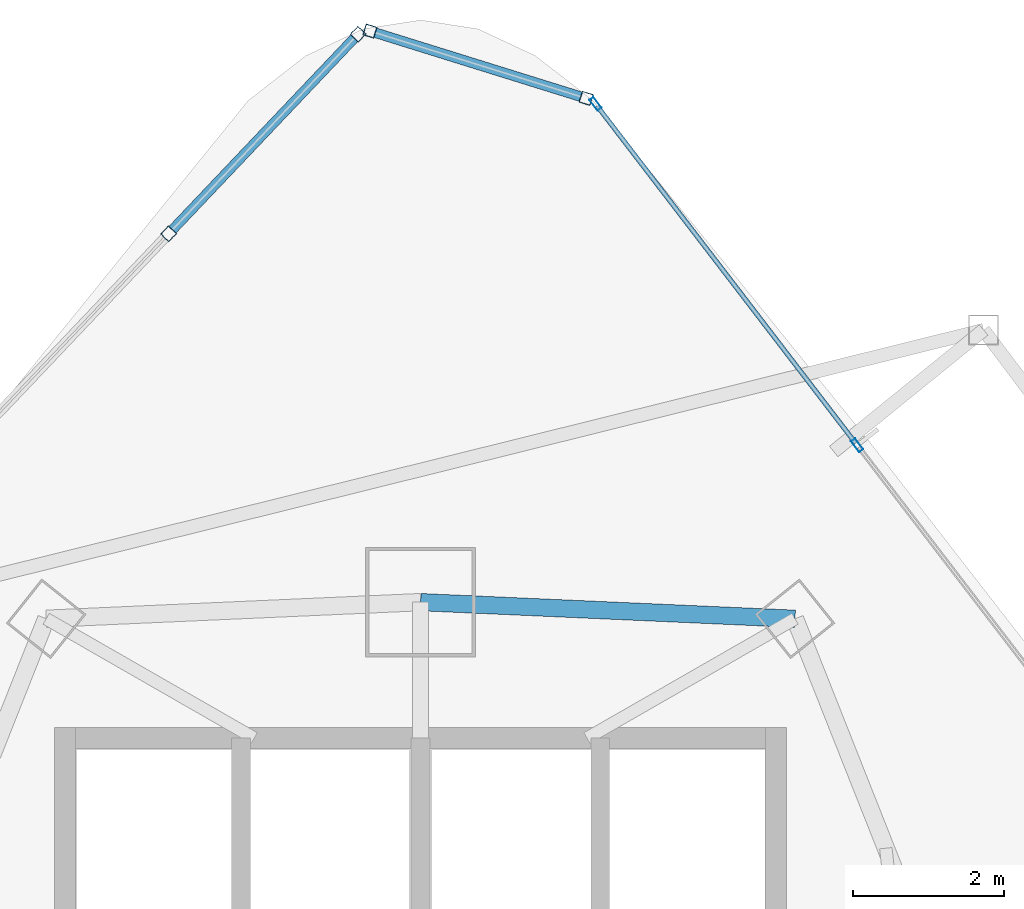
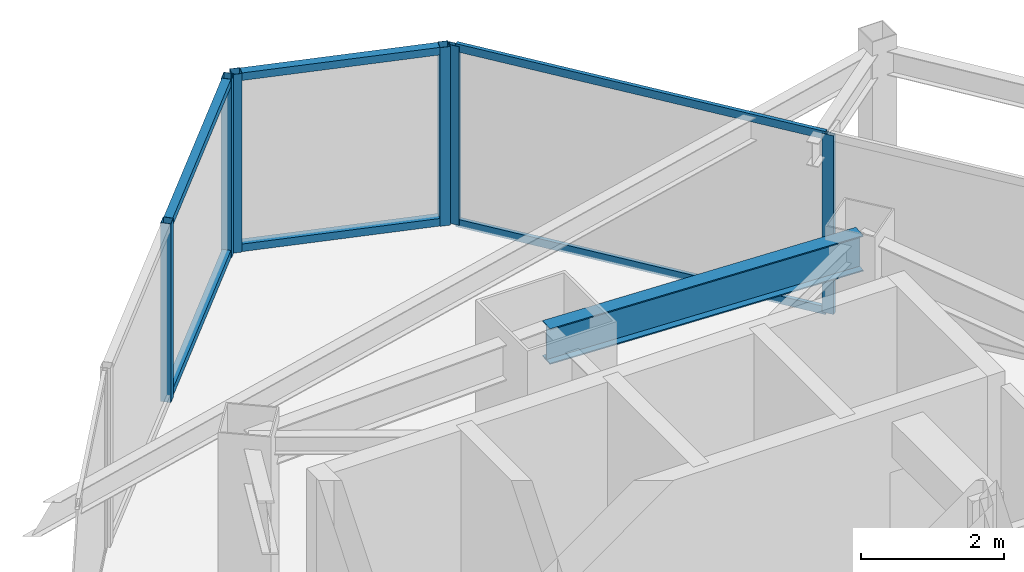
# One storey, part 23 of 31: 12 members, 1 beam, 3 elements without a shape of their own.
"""IFC4 building model written with IfcOpenShell, lengths in metres."""

from ifc_helpers import new_model, si_unit, direction, frame, origin, origin_2d, place, context, subcontext, project, spatial, hollow_rectangle, i_section, extrude, material, layer, layer_set, material_profile, profile_set, type_object, element, aggregate, save


model = new_model("IFC4")

# Units and contexts
model_context = context("Model", 3, precision=1e-05, world=origin(), true_north=direction((0.0, 1.0)))
body_context = subcontext(model_context, "Body", "Model", "MODEL_VIEW")
ifc_project = project(units=[si_unit("LENGTHUNIT", "METRE"), si_unit("AREAUNIT", "SQUARE_METRE"), si_unit("VOLUMEUNIT", "CUBIC_METRE"), si_unit("PLANEANGLEUNIT", "RADIAN"), si_unit("MASSUNIT", "GRAM", prefix="KILO")], contexts=[model_context])

# Site, building, storey
site_placement = place(None, origin())
site = spatial("IfcSite", under=ifc_project, at=site_placement, CompositionType="ELEMENT")
building_placement = place(site_placement, origin())
building = spatial("IfcBuilding", under=site, at=building_placement, Name="Orvanel Arch Residences", CompositionType="ELEMENT")
storey_placement = place(building_placement, frame((0.0, 0.0, 126.5)))
storey = spatial("IfcBuildingStorey", under=building, at=storey_placement, Name="L35", CompositionType="ELEMENT", Elevation=126.5)

# Curtain wall, members
ifc_material_1 = material(Name="Bronze-anodised aluminium AA6063-T6", Category="aluminium")
ifc_layer_1 = layer(ifc_material_1, 0.18994140625)
ifc_layer_set_1 = layer_set([ifc_layer_1], Name="Bronze-anodised aluminium AA6063-T6")
curtain_wall_type_1 = type_object("IfcCurtainWallType", Name="CW5-CRN-SYS", PredefinedType="NOTDEFINED", material=ifc_layer_set_1)
curtain_wall_1_placement = place(storey_placement, origin())
curtain_wall_1 = element("IfcCurtainWall", 1, at=curtain_wall_1_placement, inside=storey, type_object=curtain_wall_type_1, Name="L35 CW5-CRN-SYS Unitised Curtain Wall", PredefinedType="NOTDEFINED")
ifc_material_profile_1 = material_profile(ifc_material_1, hollow_rectangle(XDim=0.14990234375, YDim=0.14990234375, WallThickness=0.0048828125, at=origin_2d()), Name="ALU150x150x5")
ifc_profile_set_1 = profile_set([ifc_material_profile_1], Name="Bronze-anodised aluminium AA6063-T6")
member_type_1 = type_object("IfcMemberType", Name="MUL-150x150", PredefinedType="MULLION", material=ifc_profile_set_1)
member_1_placement = place(storey_placement, frame((35.1884765625, 48.058349609375, 0.0), z_axis=(0.0, 0.0, 1.0), x_axis=(-0.297169694333, -0.954824681693, 0.0)))
member_1 = element("IfcMember", 2, at=member_1_placement, type_object=member_type_1, Name="CW-S5 mullion 1", PredefinedType="MULLION", context=body_context, shape_type="SweptSolid", body=[
    extrude(hollow_rectangle(XDim=0.14990234375, YDim=0.14990234375, WallThickness=0.0048828125, at=origin_2d()), origin(), (0.0, 0.0, 1.0), 3.06005859375),
])
member_2_placement = place(storey_placement, frame((32.33056640625, 48.94775390625, 0.0), z_axis=(0.0, 0.0, 1.0), x_axis=(-0.297169694333, -0.954824681693, 0.0)))
member_2 = element("IfcMember", 3, at=member_2_placement, type_object=member_type_1, Name="CW-S5 mullion 2", PredefinedType="MULLION", context=body_context, shape_type="SweptSolid", body=[
    extrude(hollow_rectangle(XDim=0.14990234375, YDim=0.14990234375, WallThickness=0.0048828125, at=origin_2d()), origin(), (0.0, 0.0, 1.0), 3.06005859375),
])

curtain_wall_2_placement = place(storey_placement, origin())
curtain_wall_2 = element("IfcCurtainWall", 4, at=curtain_wall_2_placement, inside=storey, type_object=curtain_wall_type_1, Name="L35 CW5-CRN-SYS Unitised Curtain Wall", PredefinedType="NOTDEFINED")
member_3_placement = place(storey_placement, frame((32.17431640625, 48.906494140625, 0.0), z_axis=(0.0, 0.0, 1.0), x_axis=(0.725177541449, -0.688561931403, 0.0)))
member_3 = element("IfcMember", 5, at=member_3_placement, type_object=member_type_1, Name="CW-S5 mullion 1", PredefinedType="MULLION", context=body_context, shape_type="SweptSolid", body=[
    extrude(hollow_rectangle(XDim=0.14990234375, YDim=0.14990234375, WallThickness=0.0048828125, at=origin_2d()), origin(), (0.0, 0.0, 1.0), 3.06005859375),
])
member_4_placement = place(storey_placement, frame((29.66845703125, 46.267578125, 0.0), z_axis=(0.0, 0.0, 1.0), x_axis=(0.725177541449, -0.688561931403, 0.0)))
member_4 = element("IfcMember", 6, at=member_4_placement, type_object=member_type_1, Name="CW-S5 mullion 2", PredefinedType="MULLION", context=body_context, shape_type="SweptSolid", body=[
    extrude(hollow_rectangle(XDim=0.14990234375, YDim=0.14990234375, WallThickness=0.0048828125, at=origin_2d()), origin(), (0.0, 0.0, 1.0), 3.06005859375),
])

ifc_layer_2 = layer(ifc_material_1, 0.179931640625)
ifc_layer_set_2 = layer_set([ifc_layer_2], Name="Bronze-anodised aluminium AA6063-T6")
curtain_wall_type_2 = type_object("IfcCurtainWallType", Name="CW3-MID-SYS", PredefinedType="NOTDEFINED", material=ifc_layer_set_2)
curtain_wall_3_placement = place(storey_placement, origin())
curtain_wall_3 = element("IfcCurtainWall", 7, at=curtain_wall_3_placement, inside=storey, type_object=curtain_wall_type_2, Name="L35 CW3-MID-SYS Unitised Curtain Wall", PredefinedType="NOTDEFINED")
ifc_material_profile_2 = material_profile(ifc_material_1, hollow_rectangle(XDim=0.070068359375, YDim=0.179931640625, WallThickness=0.00439453125, at=origin_2d()), Name="ALU180x70x4.5")
ifc_profile_set_2 = profile_set([ifc_material_profile_2], Name="Bronze-anodised aluminium AA6063-T6")
member_type_2 = type_object("IfcMemberType", Name="MUL-180x70", PredefinedType="MULLION", material=ifc_profile_set_2)
member_5_placement = place(storey_placement, frame((38.77197265625, 43.472412109375, 0.0), z_axis=(0.0, 0.0, 1.0), x_axis=(-0.793686048697, -0.608327589465, 0.0)))
member_5 = element("IfcMember", 8, at=member_5_placement, type_object=member_type_2, Name="CW-S3 mullion 3", PredefinedType="MULLION", context=body_context, shape_type="SweptSolid", body=[
    extrude(hollow_rectangle(XDim=0.070068359375, YDim=0.179931640625, WallThickness=0.00439453125, at=origin_2d()), origin(), (0.0, 0.0, 1.0), 3.06005859375),
])
member_6_placement = place(storey_placement, frame((35.312255859375, 47.986328125, 0.0), z_axis=(0.0, 0.0, 1.0), x_axis=(-0.793686048697, -0.608327589465, 0.0)))
member_6 = element("IfcMember", 9, at=member_6_placement, type_object=member_type_2, Name="CW-S3 mullion 4", PredefinedType="MULLION", context=body_context, shape_type="SweptSolid", body=[
    extrude(hollow_rectangle(XDim=0.070068359375, YDim=0.179931640625, WallThickness=0.00439453125, at=origin_2d()), origin(), (0.0, 0.0, 1.0), 3.06005859375),
])

# Beam
ifc_material_2 = material(Name="Structural steel AS/NZS 3679.1 Grade 300 (300 MPa)", Category="steel")
ifc_material_profile_3 = material_profile(ifc_material_2, i_section(OverallWidth=0.22900390625, OverallDepth=0.612060546875, WebThickness=0.011962890625, FlangeThickness=0.01953125, at=origin_2d()), Name="610UB125")
ifc_profile_set_3 = profile_set([ifc_material_profile_3], Name="Structural steel AS/NZS 3679.1 Grade 300 (300 MPa)")
beam_type = type_object("IfcBeamType", Name="SP-610UB", PredefinedType="SPANDREL", material=ifc_profile_set_3)
beam_placement = place(storey_placement, frame((37.949951171875, 41.177978515625, 2.75390625), z_axis=(-0.999014049296, 0.044395149614, 0.0), x_axis=(-0.044395149614, -0.999014049296, 0.0)))
element("IfcBeam", 10, at=beam_placement, inside=storey, type_object=beam_type, Name="L35 Perimeter Spandrel Beam 14", PredefinedType="SPANDREL", context=body_context, shape_type="SweptSolid", body=[
    extrude(i_section(OverallWidth=0.22900390625, OverallDepth=0.612060546875, WebThickness=0.011962890625, FlangeThickness=0.01953125, at=origin_2d()), origin(), (0.0, 0.0, 1.0), 4.954833984375),
])

# Member
ifc_material_profile_4 = material_profile(ifc_material_1, hollow_rectangle(XDim=0.1298828125, YDim=0.1298828125, WallThickness=0.00439453125, at=origin_2d()), Name="ALU130x130x4.5")
ifc_profile_set_4 = profile_set([ifc_material_profile_4], Name="Bronze-anodised aluminium AA6063-T6")
member_type_3 = type_object("IfcMemberType", Name="TRN-130x130", PredefinedType="USERDEFINED", material=ifc_profile_set_4)
member_7_placement = place(storey_placement, frame((35.11669921875, 48.08056640625, 0.06494140625), z_axis=(-0.954806418228, 0.297228369625, 0.0), x_axis=(-0.297228369625, -0.954806418228, 0.0)))
member_7 = element("IfcMember", 11, at=member_7_placement, type_object=member_type_3, Name="CW-S5 transom 1.1", ObjectType="TRANSOM", PredefinedType="USERDEFINED", context=body_context, shape_type="SweptSolid", body=[
    extrude(hollow_rectangle(XDim=0.1298828125, YDim=0.1298828125, WallThickness=0.00439453125, at=origin_2d()), origin(), (0.0, 0.0, 1.0), 2.8427734375),
])

member_8_placement = place(storey_placement, frame((35.11669921875, 48.08056640625, 2.9951171875), z_axis=(-0.954806418228, 0.297228369625, 0.0), x_axis=(-0.297228369625, -0.954806418228, 0.0)))
member_8 = element("IfcMember", 12, at=member_8_placement, type_object=member_type_3, Name="CW-S5 transom 1.2", ObjectType="TRANSOM", PredefinedType="USERDEFINED", context=body_context, shape_type="SweptSolid", body=[
    extrude(hollow_rectangle(XDim=0.1298828125, YDim=0.1298828125, WallThickness=0.00439453125, at=origin_2d()), origin(), (0.0, 0.0, 1.0), 2.8427734375),
])

aggregate(curtain_wall_1, [member_1, member_2, member_7, member_8])

member_9_placement = place(storey_placement, frame((32.122802734375, 48.852294921875, 0.06494140625), z_axis=(-0.688537970858, -0.725200291428, 0.0), x_axis=(0.725200291428, -0.688537970858, 0.0)))
member_9 = element("IfcMember", 13, at=member_9_placement, type_object=member_type_3, Name="CW-S5 transom 1.1", ObjectType="TRANSOM", PredefinedType="USERDEFINED", context=body_context, shape_type="SweptSolid", body=[
    extrude(hollow_rectangle(XDim=0.1298828125, YDim=0.1298828125, WallThickness=0.00439453125, at=origin_2d()), origin(), (0.0, 0.0, 1.0), 3.489501953125),
])

member_10_placement = place(storey_placement, frame((32.122802734375, 48.852294921875, 2.9951171875), z_axis=(-0.688537970858, -0.725200291428, 0.0), x_axis=(0.725200291428, -0.688537970858, 0.0)))
member_10 = element("IfcMember", 14, at=member_10_placement, type_object=member_type_3, Name="CW-S5 transom 1.2", ObjectType="TRANSOM", PredefinedType="USERDEFINED", context=body_context, shape_type="SweptSolid", body=[
    extrude(hollow_rectangle(XDim=0.1298828125, YDim=0.1298828125, WallThickness=0.00439453125, at=origin_2d()), origin(), (0.0, 0.0, 1.0), 3.489501953125),
])

aggregate(curtain_wall_2, [member_3, member_4, member_9, member_10])

ifc_material_profile_5 = material_profile(ifc_material_1, hollow_rectangle(XDim=0.06005859375, YDim=0.135009765625, WallThickness=0.00390625, at=origin_2d()), Name="ALU135x60x4")
ifc_profile_set_5 = profile_set([ifc_material_profile_5], Name="Bronze-anodised aluminium AA6063-T6")
member_type_4 = type_object("IfcMemberType", Name="TRN-135x60", PredefinedType="USERDEFINED", material=ifc_profile_set_5)
member_11_placement = place(storey_placement, frame((38.750732421875, 43.5, 0.030029296875), z_axis=(-0.60832569864, 0.793687497932, 0.0), x_axis=(-0.793687497932, -0.60832569864, 0.0)))
member_11 = element("IfcMember", 15, at=member_11_placement, type_object=member_type_4, Name="CW-S3 transom 3.1", ObjectType="TRANSOM", PredefinedType="USERDEFINED", context=body_context, shape_type="SweptSolid", body=[
    extrude(hollow_rectangle(XDim=0.06005859375, YDim=0.135009765625, WallThickness=0.00390625, at=origin_2d()), origin(), (0.0, 0.0, 1.0), 5.617431640625),
])

member_12_placement = place(storey_placement, frame((38.750732421875, 43.5, 3.030029296875), z_axis=(-0.60832569864, 0.793687497932, 0.0), x_axis=(-0.793687497932, -0.60832569864, 0.0)))
member_12 = element("IfcMember", 16, at=member_12_placement, type_object=member_type_4, Name="CW-S3 transom 3.2", ObjectType="TRANSOM", PredefinedType="USERDEFINED", context=body_context, shape_type="SweptSolid", body=[
    extrude(hollow_rectangle(XDim=0.06005859375, YDim=0.135009765625, WallThickness=0.00390625, at=origin_2d()), origin(), (0.0, 0.0, 1.0), 5.617431640625),
])

aggregate(curtain_wall_3, [member_5, member_6, member_11, member_12])

save(model, "model.ifc")
